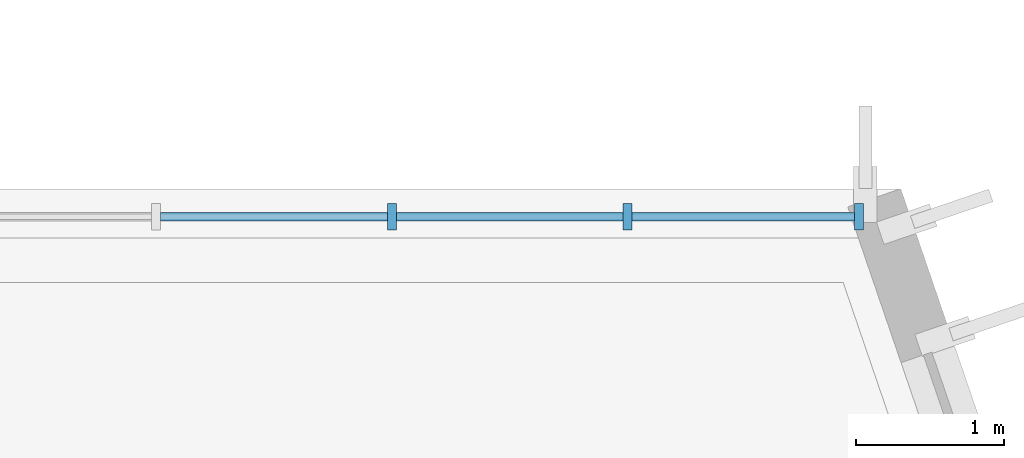
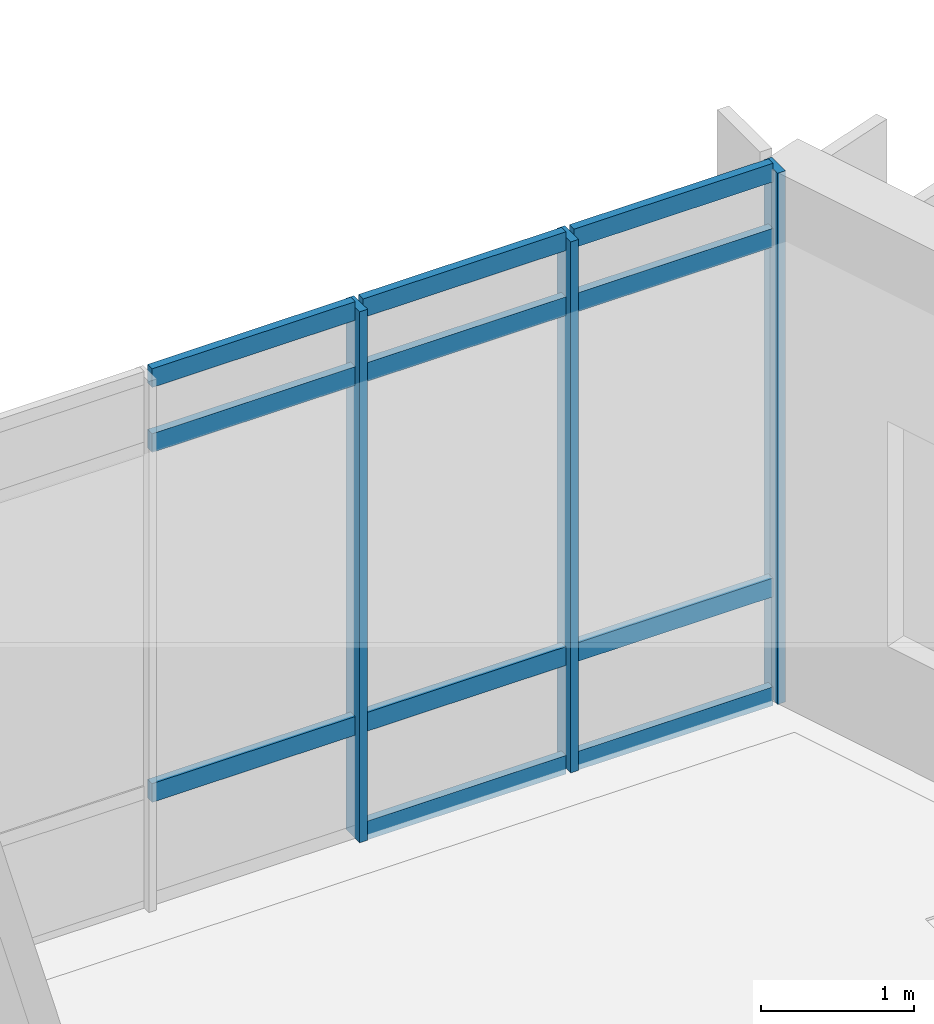
# One storey, part 48 of 100: 14 members, 1 element without a shape of its own.
"""IFC4 building model written with IfcOpenShell, lengths in metres."""

from ifc_helpers import new_model, si_unit, direction, frame, origin, origin_2d, place, context, subcontext, project, spatial, rectangle, extrude, material, material_profile, profile_set, type_object, element, aggregate, save


model = new_model("IFC4")

# Units and contexts
model_context = context("Model", 3, precision=1e-05, world=origin(), true_north=direction((0.0, 1.0)))
body_context = subcontext(model_context, "Body", "Model", "MODEL_VIEW")
ifc_project = project(units=[si_unit("LENGTHUNIT", "METRE"), si_unit("AREAUNIT", "SQUARE_METRE"), si_unit("VOLUMEUNIT", "CUBIC_METRE"), si_unit("PLANEANGLEUNIT", "RADIAN"), si_unit("MASSUNIT", "GRAM", prefix="KILO")], contexts=[model_context])

# Site, building, storey
site_placement = place(None, origin())
site = spatial("IfcSite", under=ifc_project, at=site_placement, CompositionType="ELEMENT")
building_placement = place(site_placement, origin())
building = spatial("IfcBuilding", under=site, at=building_placement, Name="Cymarion Research Institute", CompositionType="ELEMENT")
storey_placement = place(building_placement, frame((0.0, 0.0, 9.300048828125)))
storey = spatial("IfcBuildingStorey", under=building, at=storey_placement, Name="L02", CompositionType="ELEMENT", Elevation=9.300048828125)

# Curtain wall, members
ifc_material_1 = material(Name="Anodised aluminium unitised curtain wall with Low-E glazing", Category="aluminium")
curtain_wall_type = type_object("IfcCurtainWallType", Name="UNITISED CURTAIN WALL CW02 6390X4250", PredefinedType="NOTDEFINED", material=ifc_material_1)
curtain_wall_placement = place(storey_placement, origin())
curtain_wall = element("IfcCurtainWall", 1, at=curtain_wall_placement, inside=storey, type_object=curtain_wall_type, Name="L02 V1 unitised curtain wall CW02 #67", PredefinedType="NOTDEFINED")
ifc_material_2 = material(Name="Anodised aluminium framing", Category="aluminium")
ifc_material_profile_1 = material_profile(ifc_material_2, rectangle(XDim=0.06005859375, YDim=0.179931640625, at=origin_2d()), Name="ALU MULLION 60x180")
ifc_profile_set_1 = profile_set([ifc_material_profile_1], Name="Anodised aluminium framing")
member_type_1 = type_object("IfcMemberType", Name="CURTAIN WALL MULLION ML01 60X180", PredefinedType="MULLION", material=ifc_profile_set_1)
member_1_placement = place(storey_placement, frame((164.116455078125, 41.31005859375, 0.0), z_axis=(0.0, 0.0, 1.0), x_axis=(-1.0, 0.0, 0.0)))
member_1 = element("IfcMember", 2, at=member_1_placement, type_object=member_type_1, Name="CW02 mullion 1", PredefinedType="MULLION", context=body_context, shape_type="SweptSolid", body=[
    extrude(rectangle(XDim=0.06005859375, YDim=0.179931640625, at=origin_2d()), origin(), (0.0, 0.0, 1.0), 4.25),
])
member_2_placement = place(storey_placement, frame((162.5498046875, 41.31005859375, 0.0), z_axis=(0.0, 0.0, 1.0), x_axis=(-1.0, 0.0, 0.0)))
member_2 = element("IfcMember", 3, at=member_2_placement, type_object=member_type_1, Name="CW02 mullion 2", PredefinedType="MULLION", context=body_context, shape_type="SweptSolid", body=[
    extrude(rectangle(XDim=0.06005859375, YDim=0.179931640625, at=origin_2d()), origin(), (0.0, 0.0, 1.0), 4.25),
])
member_3_placement = place(storey_placement, frame((160.953125, 41.31005859375, 0.0), z_axis=(0.0, 0.0, 1.0), x_axis=(-1.0, 0.0, 0.0)))
member_3 = element("IfcMember", 4, at=member_3_placement, type_object=member_type_1, Name="CW02 mullion 3", PredefinedType="MULLION", context=body_context, shape_type="SweptSolid", body=[
    extrude(rectangle(XDim=0.06005859375, YDim=0.179931640625, at=origin_2d()), origin(), (0.0, 0.0, 1.0), 4.25),
])
ifc_material_profile_2 = material_profile(ifc_material_2, rectangle(XDim=0.06005859375, YDim=0.14990234375, at=origin_2d()), Name="ALU TRANSOM 60x150")
ifc_profile_set_2 = profile_set([ifc_material_profile_2], Name="Anodised aluminium framing")
member_type_2 = type_object("IfcMemberType", Name="CURTAIN WALL TRANSOM TR01 60X150", PredefinedType="USERDEFINED", material=ifc_profile_set_2)
member_4_placement = place(storey_placement, frame((164.08642578125, 41.31005859375, 0.030029296875), z_axis=(-1.0, 0.0, 0.0), x_axis=(0.0, -1.0, 0.0)))
member_4 = element("IfcMember", 5, at=member_4_placement, type_object=member_type_2, Name="CW02 transom 1.1", ObjectType="TRANSOM", PredefinedType="USERDEFINED", context=body_context, shape_type="SweptSolid", body=[
    extrude(rectangle(XDim=0.06005859375, YDim=0.14990234375, at=origin_2d()), origin(), (0.0, 0.0, 1.0), 1.506591796875),
])
member_5_placement = place(storey_placement, frame((164.08642578125, 41.31005859375, 0.89990234375), z_axis=(-1.0, 0.0, 0.0), x_axis=(0.0, -1.0, 0.0)))
member_5 = element("IfcMember", 6, at=member_5_placement, type_object=member_type_2, Name="CW02 transom 1.2", ObjectType="TRANSOM", PredefinedType="USERDEFINED", context=body_context, shape_type="SweptSolid", body=[
    extrude(rectangle(XDim=0.06005859375, YDim=0.14990234375, at=origin_2d()), origin(), (0.0, 0.0, 1.0), 1.506591796875),
])
member_6_placement = place(storey_placement, frame((164.08642578125, 41.31005859375, 3.699951171875), z_axis=(-1.0, 0.0, 0.0), x_axis=(0.0, -1.0, 0.0)))
member_6 = element("IfcMember", 7, at=member_6_placement, type_object=member_type_2, Name="CW02 transom 1.3", ObjectType="TRANSOM", PredefinedType="USERDEFINED", context=body_context, shape_type="SweptSolid", body=[
    extrude(rectangle(XDim=0.06005859375, YDim=0.14990234375, at=origin_2d()), origin(), (0.0, 0.0, 1.0), 1.506591796875),
])
member_7_placement = place(storey_placement, frame((164.08642578125, 41.31005859375, 4.219970703125), z_axis=(-1.0, 0.0, 0.0), x_axis=(0.0, -1.0, 0.0)))
member_7 = element("IfcMember", 8, at=member_7_placement, type_object=member_type_2, Name="CW02 transom 1.4", ObjectType="TRANSOM", PredefinedType="USERDEFINED", context=body_context, shape_type="SweptSolid", body=[
    extrude(rectangle(XDim=0.06005859375, YDim=0.14990234375, at=origin_2d()), origin(), (0.0, 0.0, 1.0), 1.506591796875),
])
member_8_placement = place(storey_placement, frame((162.519775390625, 41.31005859375, 0.030029296875), z_axis=(-1.0, 0.0, 0.0), x_axis=(0.0, -1.0, 0.0)))
member_8 = element("IfcMember", 9, at=member_8_placement, type_object=member_type_2, Name="CW02 transom 2.1", ObjectType="TRANSOM", PredefinedType="USERDEFINED", context=body_context, shape_type="SweptSolid", body=[
    extrude(rectangle(XDim=0.06005859375, YDim=0.14990234375, at=origin_2d()), origin(), (0.0, 0.0, 1.0), 1.53662109375),
])
member_9_placement = place(storey_placement, frame((162.519775390625, 41.31005859375, 0.89990234375), z_axis=(-1.0, 0.0, 0.0), x_axis=(0.0, -1.0, 0.0)))
member_9 = element("IfcMember", 10, at=member_9_placement, type_object=member_type_2, Name="CW02 transom 2.2", ObjectType="TRANSOM", PredefinedType="USERDEFINED", context=body_context, shape_type="SweptSolid", body=[
    extrude(rectangle(XDim=0.06005859375, YDim=0.14990234375, at=origin_2d()), origin(), (0.0, 0.0, 1.0), 1.53662109375),
])
member_10_placement = place(storey_placement, frame((162.519775390625, 41.31005859375, 3.699951171875), z_axis=(-1.0, 0.0, 0.0), x_axis=(0.0, -1.0, 0.0)))
member_10 = element("IfcMember", 11, at=member_10_placement, type_object=member_type_2, Name="CW02 transom 2.3", ObjectType="TRANSOM", PredefinedType="USERDEFINED", context=body_context, shape_type="SweptSolid", body=[
    extrude(rectangle(XDim=0.06005859375, YDim=0.14990234375, at=origin_2d()), origin(), (0.0, 0.0, 1.0), 1.53662109375),
])
member_11_placement = place(storey_placement, frame((162.519775390625, 41.31005859375, 4.219970703125), z_axis=(-1.0, 0.0, 0.0), x_axis=(0.0, -1.0, 0.0)))
member_11 = element("IfcMember", 12, at=member_11_placement, type_object=member_type_2, Name="CW02 transom 2.4", ObjectType="TRANSOM", PredefinedType="USERDEFINED", context=body_context, shape_type="SweptSolid", body=[
    extrude(rectangle(XDim=0.06005859375, YDim=0.14990234375, at=origin_2d()), origin(), (0.0, 0.0, 1.0), 1.53662109375),
])
member_12_placement = place(storey_placement, frame((160.923095703125, 41.31005859375, 0.89990234375), z_axis=(-1.0, 0.0, 0.0), x_axis=(0.0, -1.0, 0.0)))
member_12 = element("IfcMember", 13, at=member_12_placement, type_object=member_type_2, Name="CW02 transom 3.2", ObjectType="TRANSOM", PredefinedType="USERDEFINED", context=body_context, shape_type="SweptSolid", body=[
    extrude(rectangle(XDim=0.06005859375, YDim=0.14990234375, at=origin_2d()), origin(), (0.0, 0.0, 1.0), 1.53662109375),
])
member_13_placement = place(storey_placement, frame((160.923095703125, 41.31005859375, 3.699951171875), z_axis=(-1.0, 0.0, 0.0), x_axis=(0.0, -1.0, 0.0)))
member_13 = element("IfcMember", 14, at=member_13_placement, type_object=member_type_2, Name="CW02 transom 3.3", ObjectType="TRANSOM", PredefinedType="USERDEFINED", context=body_context, shape_type="SweptSolid", body=[
    extrude(rectangle(XDim=0.06005859375, YDim=0.14990234375, at=origin_2d()), origin(), (0.0, 0.0, 1.0), 1.53662109375),
])
member_14_placement = place(storey_placement, frame((160.923095703125, 41.31005859375, 4.219970703125), z_axis=(-1.0, 0.0, 0.0), x_axis=(0.0, -1.0, 0.0)))
member_14 = element("IfcMember", 15, at=member_14_placement, type_object=member_type_2, Name="CW02 transom 3.4", ObjectType="TRANSOM", PredefinedType="USERDEFINED", context=body_context, shape_type="SweptSolid", body=[
    extrude(rectangle(XDim=0.06005859375, YDim=0.14990234375, at=origin_2d()), origin(), (0.0, 0.0, 1.0), 1.53662109375),
])
aggregate(curtain_wall, [member_1, member_2, member_3, member_4, member_5, member_6, member_7, member_8, member_9, member_10, member_11, member_12, member_13, member_14])

save(model, "model.ifc")
